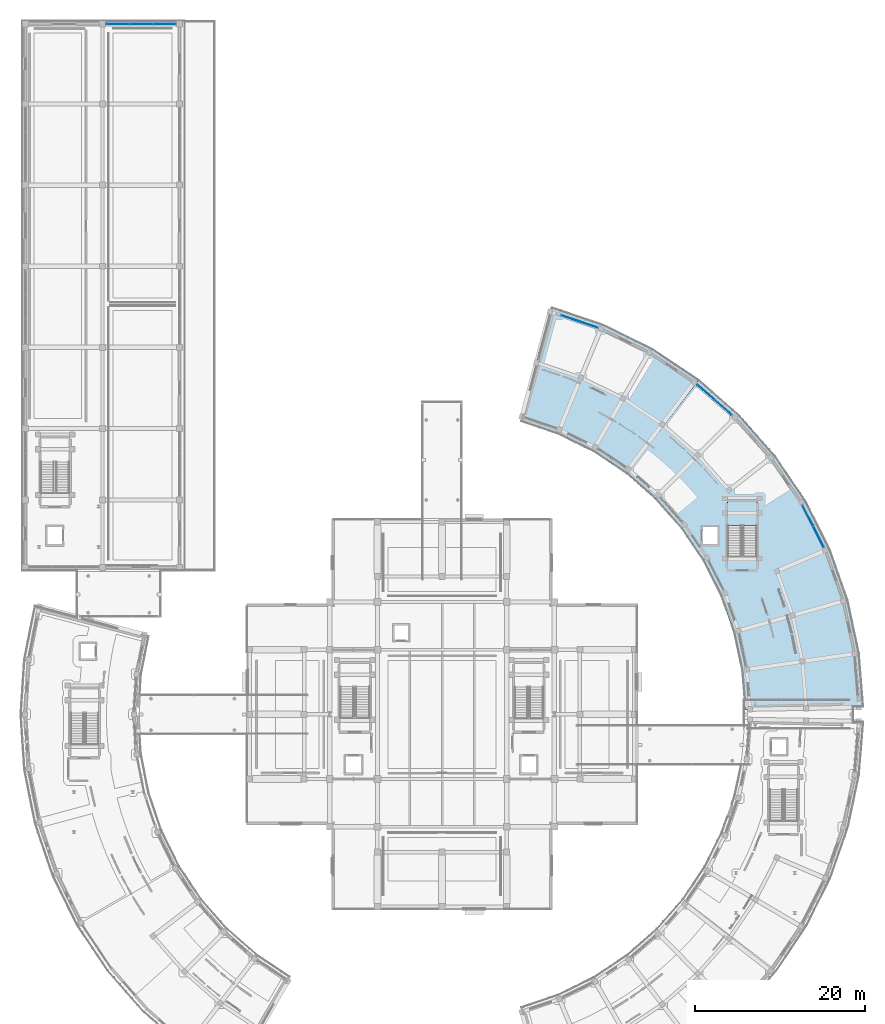
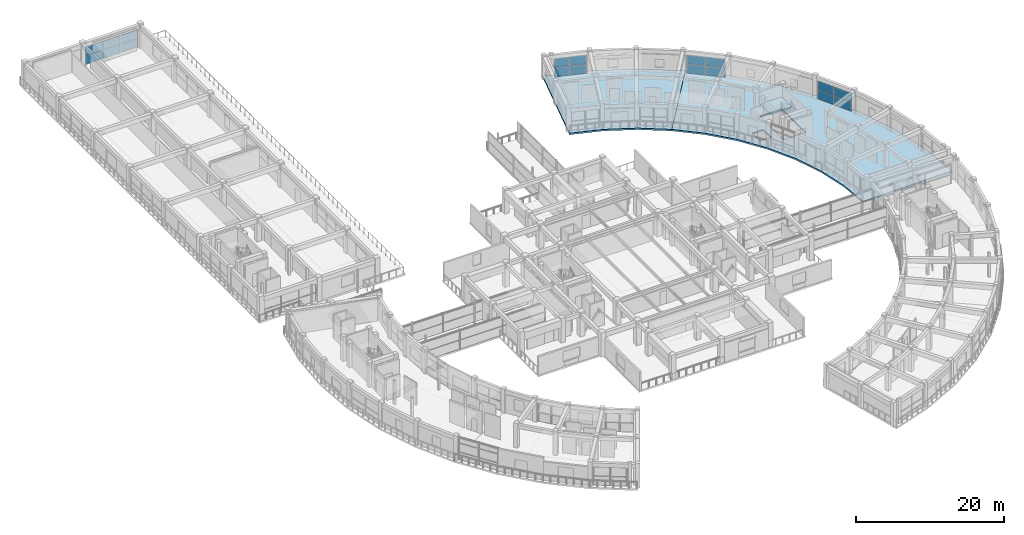
# One storey, part 43 of 70: 18 plates, 3 slabs, 5 elements without a shape of their own.
"""IFC4 building model written with IfcOpenShell, lengths in metres."""

import ifcopenshell
import ifcopenshell.guid

model = None  # the IFC model being written
_history = None  # IfcOwnerHistory: only IFC2X3 demands one
_inside = {}  # id of a spatial element -> (the spatial element, [elements in it])
_under = {}  # id of a project, library or spatial element -> (it, [spatial elements below it])
_declared = {}  # id of a project -> (the project, [libraries it declares])
_typed = {}  # id of a type object -> (the type object, [elements of that type])
_made_of = {}  # id of a material, layer set ... -> (it, [elements and type objects made of it])


def new_model(schema):
    """Start an empty IFC model of exactly this schema.

    Asked for "IFC4X3", IfcOpenShell would pick the latest addendum, in which some entities
    have other attributes; the version numbers below select the first issue.
    IFC2X3 requires an IfcOwnerHistory on every rooted entity: one is made here for all.
    """
    global model, _history
    if schema == "IFC4X3":
        model = ifcopenshell.file(schema_version=(4, 3, 0, 0))
    else:
        model = ifcopenshell.file(schema=schema)
    _inside.clear()
    _under.clear()
    _declared.clear()
    _typed.clear()
    _made_of.clear()
    _history = None
    if model.schema == "IFC2X3":
        org = make("IfcOrganization", Name="unknown")
        user = make(
            "IfcPersonAndOrganization",
            ThePerson=make("IfcPerson", FamilyName="unknown"),
            TheOrganization=org,
        )
        app = make(
            "IfcApplication",
            ApplicationDeveloper=org,
            Version="unknown",
            ApplicationFullName="unknown",
            ApplicationIdentifier="unknown",
        )
        _history = make(
            "IfcOwnerHistory",
            OwningUser=user,
            OwningApplication=app,
            ChangeAction="ADDED",
            CreationDate=0,
        )
    return model


def make(cls, **values):
    """One entity of the class cls with the attributes given. An attribute that is None is left unset."""
    return model.create_entity(
        cls, **{name: value for name, value in values.items() if value is not None}
    )


def rooted(cls, **values):
    """An entity with a GlobalId (a new one), such as an element, a storey or a relation."""
    return make(cls, GlobalId=ifcopenshell.guid.new(), OwnerHistory=_history, **values)


def si_unit(unit_type, name, prefix=None):
    """IfcSIUnit, for example si_unit("LENGTHUNIT", "METRE", prefix="MILLI")."""
    return make("IfcSIUnit", UnitType=unit_type, Prefix=prefix, Name=name)


def assignment(units):
    """IfcUnitAssignment: the units of a project."""
    return None if units is None else make("IfcUnitAssignment", Units=units)


def point(xyz):
    """IfcCartesianPoint."""
    return None if xyz is None else make("IfcCartesianPoint", Coordinates=xyz)


def direction(xyz):
    """IfcDirection."""
    return None if xyz is None else make("IfcDirection", DirectionRatios=xyz)


def frame(location, z_axis=None, x_axis=None):
    """IfcAxis2Placement3D, a coordinate frame: its origin and axes. An axis left out is left unset."""
    return make(
        "IfcAxis2Placement3D",
        Location=point(location),
        Axis=direction(z_axis),
        RefDirection=direction(x_axis),
    )


def frame_2d(location, x_axis=None):
    """IfcAxis2Placement2D, a coordinate frame in the plane: its origin and x axis."""
    return make(
        "IfcAxis2Placement2D", Location=point(location), RefDirection=direction(x_axis)
    )


def origin():
    """The frame at (0, 0, 0) with its axes left unset."""
    return frame((0.0, 0.0, 0.0))


def origin_2d():
    """The frame at (0, 0) in the plane with its x axis left unset."""
    return frame_2d((0.0, 0.0))


def place(relative_to, where):
    """IfcLocalPlacement: puts the frame where relative to a parent placement (None: the world)."""
    return make(
        "IfcLocalPlacement", PlacementRelTo=relative_to, RelativePlacement=where
    )


def context(
    kind, dimensions, precision=None, world=None, true_north=None, identifier=None
):
    """IfcGeometricRepresentationContext, for example the 3D "Model" context."""
    return make(
        "IfcGeometricRepresentationContext",
        ContextIdentifier=identifier,
        ContextType=kind,
        CoordinateSpaceDimension=dimensions,
        Precision=precision,
        WorldCoordinateSystem=world,
        TrueNorth=true_north,
    )


def subcontext(parent, identifier, kind, view, scale=None):
    """IfcGeometricRepresentationSubContext, for example "Body" below "Model"."""
    return make(
        "IfcGeometricRepresentationSubContext",
        ContextIdentifier=identifier,
        ContextType=kind,
        ParentContext=parent,
        TargetScale=scale,
        TargetView=view,
    )


def project(units=None, contexts=None):
    """IfcProject with its units and contexts."""
    return rooted(
        "IfcProject",
        Name="project",
        RepresentationContexts=contexts,
        UnitsInContext=assignment(units),
    )


def spatial(cls, under=None, at=None, **own):
    """A site, building, storey or space (cls), placed at a placement, below another one or the project."""
    s = rooted(cls, ObjectPlacement=at, **own)
    if under is not None:
        _under.setdefault(under.id(), (under, []))[1].append(s)
    return s


def polyline(points):
    """IfcPolyline through the points."""
    return make("IfcPolyline", Points=[point(p) for p in points])


def profile(cls, at=None, kind="AREA", **sizes):
    """A parametric profile (cls). Its sizes go by their IFC names, for example OverallWidth=200.0."""
    return make(cls, ProfileType=kind, Position=at, **sizes)


def rectangle(**sizes):
    """IfcRectangleProfileDef."""
    return profile("IfcRectangleProfileDef", **sizes)


def outline(outer, holes=None, kind="AREA"):
    """IfcArbitraryClosedProfileDef: a profile drawn as a closed curve; with holes, ...WithVoids."""
    if holes is None:
        return make("IfcArbitraryClosedProfileDef", ProfileType=kind, OuterCurve=outer)
    return make(
        "IfcArbitraryProfileDefWithVoids",
        ProfileType=kind,
        OuterCurve=outer,
        InnerCurves=holes,
    )


def extrude(swept, where, along, depth):
    """IfcExtrudedAreaSolid: the profile swept, set in the frame where, extruded along a direction by depth."""
    return make(
        "IfcExtrudedAreaSolid",
        SweptArea=swept,
        Position=where,
        ExtrudedDirection=direction(along),
        Depth=depth,
    )


def shape(context_of_items, identifier, shape_type, items):
    """IfcShapeRepresentation: the items that make up one representation, for example the "Body"."""
    return make(
        "IfcShapeRepresentation",
        ContextOfItems=context_of_items,
        RepresentationIdentifier=identifier,
        RepresentationType=shape_type,
        Items=items,
    )


def material(Name=None, Category=None):
    """IfcMaterial."""
    return make("IfcMaterial", Name=Name, Category=Category)


def layer(
    of_material, thickness, ventilated=None, Name=None, Category=None, Priority=None
):
    """IfcMaterialLayer: one layer of a wall or slab, of a material (None: an air gap)."""
    return make(
        "IfcMaterialLayer",
        Material=of_material,
        LayerThickness=thickness,
        IsVentilated=ventilated,
        Name=Name,
        Category=Category,
        Priority=Priority,
    )


def layer_set(layers, Name=None):
    """IfcMaterialLayerSet."""
    return make("IfcMaterialLayerSet", MaterialLayers=layers, LayerSetName=Name)


def made_of(thing, what):
    """Note that an element or type object is made of a material, layer set ...; save() writes the relation."""
    if what is not None:
        _made_of.setdefault(what.id(), (what, []))[1].append(thing)
    return thing


def type_object(cls, material=None, **own):
    """A type object (cls), such as IfcWallType, which elements share."""
    return made_of(rooted(cls, **own), material)


def element(
    cls,
    number,
    at=None,
    inside=None,
    cuts=None,
    type_object=None,
    material=None,
    context=None,
    identifier="Body",
    shape_type=None,
    held_by="IfcProductDefinitionShape",
    body=None,
    shapes=None,
    **own,
):
    """One element of the class cls, such as IfcWall. Its Tag is "e" and its number.

    at: its placement. inside: the storey or other place that contains it. cuts: it is an
    opening in that element (IfcRelVoidsElement). A single representation is given by context,
    identifier, shape_type and body (its items); several are given by shapes. held_by: the class
    of the entity that holds the representations. save() writes the other relations.
    """
    e = rooted(cls, Tag="e%d" % number, ObjectPlacement=at, **own)
    if body is not None:
        shapes = [shape(context, identifier, shape_type, body)]
    if shapes is not None:
        e.Representation = make(held_by, Representations=shapes)
    if inside is not None:
        _inside.setdefault(inside.id(), (inside, []))[1].append(e)
    if cuts is not None:
        rooted(
            "IfcRelVoidsElement", RelatingBuildingElement=cuts, RelatedOpeningElement=e
        )
    if type_object is not None:
        _typed.setdefault(type_object.id(), (type_object, []))[1].append(e)
    return made_of(e, material)


def aggregate(whole, parts):
    """IfcRelAggregates: a whole, such as a stair, and the parts it consists of."""
    return rooted("IfcRelAggregates", RelatingObject=whole, RelatedObjects=parts)


def save(model, path):
    """Write the relations noted so far, then the file.

    IfcRelAggregates (storeys below a building ...), IfcRelContainedInSpatialStructure (elements
    in a storey), IfcRelDefinesByType, IfcRelAssociatesMaterial and IfcRelDeclares: one each for
    every whole, place, type object, material and project.
    """
    for whole, parts in _under.values():
        aggregate(whole, parts)
    for where, things in _inside.values():
        rooted(
            "IfcRelContainedInSpatialStructure",
            RelatedElements=things,
            RelatingStructure=where,
        )
    for kind, things in _typed.values():
        rooted("IfcRelDefinesByType", RelatedObjects=things, RelatingType=kind)
    for what, things in _made_of.values():
        rooted("IfcRelAssociatesMaterial", RelatedObjects=things, RelatingMaterial=what)
    for by, libraries in _declared.values():
        rooted("IfcRelDeclares", RelatingContext=by, RelatedDefinitions=libraries)
    model.write(path)


model = new_model("IFC4")

# Units and contexts
model_context = context("Model", 3, precision=1e-05, world=origin(), true_north=direction((0.0, 1.0)))
body_context = subcontext(model_context, "Body", "Model", "MODEL_VIEW")
ifc_project = project(units=[si_unit("LENGTHUNIT", "METRE"), si_unit("AREAUNIT", "SQUARE_METRE"), si_unit("VOLUMEUNIT", "CUBIC_METRE"), si_unit("PLANEANGLEUNIT", "RADIAN"), si_unit("MASSUNIT", "GRAM", prefix="KILO")], contexts=[model_context])

# Site, building, storey
site_placement = place(None, origin())
site = spatial("IfcSite", under=ifc_project, at=site_placement, CompositionType="ELEMENT")
building_placement = place(site_placement, origin())
building = spatial("IfcBuilding", under=site, at=building_placement, Name="Saryqyr Civic Hall", CompositionType="ELEMENT")
storey_placement = place(building_placement, frame((0.0, 0.0, 13.199951171875)))
storey = spatial("IfcBuildingStorey", under=building, at=storey_placement, Name="L03", CompositionType="ELEMENT", Elevation=13.199951171875)

# Curtain wall, plates
ifc_material_1 = material(Name="Anodised aluminium and triple low-E glass", Category="aluminium")
curtain_wall_type_1 = type_object("IfcCurtainWallType", Name="ENV-CW-STD-40", PredefinedType="NOTDEFINED", material=ifc_material_1)
curtain_wall_1_placement = place(storey_placement, origin())
curtain_wall_1 = element("IfcCurtainWall", 1, at=curtain_wall_1_placement, inside=storey, type_object=curtain_wall_type_1, Name="Curtain wall V6-CWO-L03-03", PredefinedType="NOTDEFINED")
ifc_material_2 = material(Name="Triple low-E insulated glazing", Category="glass")
ifc_layer_1 = layer(ifc_material_2, 0.053955078125, Name="Triple low-E insulated glazing")
ifc_layer_set_1 = layer_set([ifc_layer_1], Name="Triple low-E insulated glazing")
plate_type = type_object("IfcPlateType", Name="ENV-CW-PNL-38", PredefinedType="CURTAIN_PANEL", material=ifc_layer_set_1)
plate_1_placement = place(storey_placement, frame((99.997314453125, 107.326171875, 0.06005859375), z_axis=(0.0, 0.0, 1.0), x_axis=(0.451943063525, -0.892046785394, 0.0)))
plate_1 = element("IfcPlate", 2, at=plate_1_placement, type_object=plate_type, Name="CW-40 panel 1.1", PredefinedType="CURTAIN_PANEL", context=body_context, shape_type="SweptSolid", body=[
    extrude(rectangle(XDim=2.693115234375, YDim=0.053955078125, at=origin_2d()), origin(), (0.0, 0.0, 1.0), 1.491943359375),
])
plate_2_placement = place(storey_placement, frame((99.997314453125, 107.326171875, 1.6123046875), z_axis=(0.0, 0.0, 1.0), x_axis=(0.451943063525, -0.892046785394, 0.0)))
plate_2 = element("IfcPlate", 3, at=plate_2_placement, type_object=plate_type, Name="CW-40 panel 1.2", PredefinedType="CURTAIN_PANEL", context=body_context, shape_type="SweptSolid", body=[
    extrude(rectangle(XDim=2.693115234375, YDim=0.053955078125, at=origin_2d()), origin(), (0.0, 0.0, 1.0), 1.492919921875),
])
plate_3_placement = place(storey_placement, frame((101.241455078125, 104.870361328125, 0.06005859375), z_axis=(0.0, 0.0, 1.0), x_axis=(0.451943063525, -0.892046785394, 0.0)))
plate_3 = element("IfcPlate", 4, at=plate_3_placement, type_object=plate_type, Name="CW-40 panel 2.1", PredefinedType="CURTAIN_PANEL", context=body_context, shape_type="SweptSolid", body=[
    extrude(rectangle(XDim=2.693115234375, YDim=0.053955078125, at=origin_2d()), origin(), (0.0, 0.0, 1.0), 1.491943359375),
])
plate_4_placement = place(storey_placement, frame((101.241455078125, 104.870361328125, 1.6123046875), z_axis=(0.0, 0.0, 1.0), x_axis=(0.451943063525, -0.892046785394, 0.0)))
plate_4 = element("IfcPlate", 5, at=plate_4_placement, type_object=plate_type, Name="CW-40 panel 2.2", PredefinedType="CURTAIN_PANEL", context=body_context, shape_type="SweptSolid", body=[
    extrude(rectangle(XDim=2.693115234375, YDim=0.053955078125, at=origin_2d()), origin(), (0.0, 0.0, 1.0), 1.492919921875),
])
aggregate(curtain_wall_1, [plate_1, plate_2, plate_3, plate_4])

curtain_wall_type_2 = type_object("IfcCurtainWallType", Name="ENV-CW-STD-39", PredefinedType="NOTDEFINED", material=ifc_material_1)
curtain_wall_2_placement = place(storey_placement, origin())
curtain_wall_2 = element("IfcCurtainWall", 6, at=curtain_wall_2_placement, inside=storey, type_object=curtain_wall_type_2, Name="Curtain wall V6-CWO-L03-06", PredefinedType="NOTDEFINED")
plate_5_placement = place(storey_placement, frame((88.012451171875, 121.828857421875, 0.06005859375), z_axis=(0.0, 0.0, 1.0), x_axis=(0.755657475938, -0.654967006085, 0.0)))
plate_5 = element("IfcPlate", 7, at=plate_5_placement, type_object=plate_type, Name="CW-39 panel 1.1", PredefinedType="CURTAIN_PANEL", context=body_context, shape_type="SweptSolid", body=[
    extrude(rectangle(XDim=2.624267578125, YDim=0.053955078125, at=origin_2d()), origin(), (0.0, 0.0, 1.0), 1.491943359375),
])
plate_6_placement = place(storey_placement, frame((88.012451171875, 121.828857421875, 1.6123046875), z_axis=(0.0, 0.0, 1.0), x_axis=(0.755657475938, -0.654967006085, 0.0)))
plate_6 = element("IfcPlate", 8, at=plate_6_placement, type_object=plate_type, Name="CW-39 panel 1.2", PredefinedType="CURTAIN_PANEL", context=body_context, shape_type="SweptSolid", body=[
    extrude(rectangle(XDim=2.624267578125, YDim=0.053955078125, at=origin_2d()), origin(), (0.0, 0.0, 1.0), 1.492919921875),
])
plate_7_placement = place(storey_placement, frame((90.040771484375, 120.07080078125, 0.06005859375), z_axis=(0.0, 0.0, 1.0), x_axis=(0.755657475938, -0.654967006085, 0.0)))
plate_7 = element("IfcPlate", 9, at=plate_7_placement, type_object=plate_type, Name="CW-39 panel 2.1", PredefinedType="CURTAIN_PANEL", context=body_context, shape_type="SweptSolid", body=[
    extrude(rectangle(XDim=2.624267578125, YDim=0.053955078125, at=origin_2d()), origin(), (0.0, 0.0, 1.0), 1.491943359375),
])
plate_8_placement = place(storey_placement, frame((90.040771484375, 120.07080078125, 1.6123046875), z_axis=(0.0, 0.0, 1.0), x_axis=(0.755657475938, -0.654967006085, 0.0)))
plate_8 = element("IfcPlate", 10, at=plate_8_placement, type_object=plate_type, Name="CW-39 panel 2.2", PredefinedType="CURTAIN_PANEL", context=body_context, shape_type="SweptSolid", body=[
    extrude(rectangle(XDim=2.624267578125, YDim=0.053955078125, at=origin_2d()), origin(), (0.0, 0.0, 1.0), 1.492919921875),
])
aggregate(curtain_wall_2, [plate_5, plate_6, plate_7, plate_8])

curtain_wall_type_3 = type_object("IfcCurtainWallType", Name="ENV-CW-STD-30", PredefinedType="NOTDEFINED", material=ifc_material_1)
curtain_wall_3_placement = place(storey_placement, origin())
curtain_wall_3 = element("IfcCurtainWall", 11, at=curtain_wall_3_placement, inside=storey, type_object=curtain_wall_type_3, Name="Curtain wall V6-CWO-L03-09", PredefinedType="NOTDEFINED")
plate_9_placement = place(storey_placement, frame((72.106201171875, 130.509765625, 0.06005859375), z_axis=(0.0, 0.0, 1.0), x_axis=(0.947190494511, -0.320671431699, 0.0)))
plate_9 = element("IfcPlate", 12, at=plate_9_placement, type_object=plate_type, Name="CW-30 panel 1.1", PredefinedType="CURTAIN_PANEL", context=body_context, shape_type="SweptSolid", body=[
    extrude(rectangle(XDim=2.193603515625, YDim=0.053955078125, at=origin_2d()), origin(), (0.0, 0.0, 1.0), 1.491943359375),
])
plate_10_placement = place(storey_placement, frame((72.106201171875, 130.509765625, 1.6123046875), z_axis=(0.0, 0.0, 1.0), x_axis=(0.947190494511, -0.320671431699, 0.0)))
plate_10 = element("IfcPlate", 13, at=plate_10_placement, type_object=plate_type, Name="CW-30 panel 1.2", PredefinedType="CURTAIN_PANEL", context=body_context, shape_type="SweptSolid", body=[
    extrude(rectangle(XDim=2.193603515625, YDim=0.053955078125, at=origin_2d()), origin(), (0.0, 0.0, 1.0), 1.492919921875),
])
plate_11_placement = place(storey_placement, frame((74.24072265625, 129.787109375, 0.06005859375), z_axis=(0.0, 0.0, 1.0), x_axis=(0.947190494511, -0.320671431699, 0.0)))
plate_11 = element("IfcPlate", 14, at=plate_11_placement, type_object=plate_type, Name="CW-30 panel 2.1", PredefinedType="CURTAIN_PANEL", context=body_context, shape_type="SweptSolid", body=[
    extrude(rectangle(XDim=2.193603515625, YDim=0.053955078125, at=origin_2d()), origin(), (0.0, 0.0, 1.0), 1.491943359375),
])
plate_12_placement = place(storey_placement, frame((74.24072265625, 129.787109375, 1.6123046875), z_axis=(0.0, 0.0, 1.0), x_axis=(0.947190494511, -0.320671431699, 0.0)))
plate_12 = element("IfcPlate", 15, at=plate_12_placement, type_object=plate_type, Name="CW-30 panel 2.2", PredefinedType="CURTAIN_PANEL", context=body_context, shape_type="SweptSolid", body=[
    extrude(rectangle(XDim=2.193603515625, YDim=0.053955078125, at=origin_2d()), origin(), (0.0, 0.0, 1.0), 1.492919921875),
])
aggregate(curtain_wall_3, [plate_9, plate_10, plate_11, plate_12])

curtain_wall_type_4 = type_object("IfcCurtainWallType", Name="ENV-CW-STD-51", PredefinedType="NOTDEFINED", material=ifc_material_1)
curtain_wall_4_placement = place(storey_placement, origin())
curtain_wall_4 = element("IfcCurtainWall", 16, at=curtain_wall_4_placement, inside=storey, type_object=curtain_wall_type_4, Name="Curtain wall V3-CW-L03-2-1", PredefinedType="NOTDEFINED")
plate_13_placement = place(storey_placement, frame((18.88330078125, 165.14990234375, 0.06005859375), z_axis=(0.0, 0.0, 1.0), x_axis=(1.0, 0.0, 0.0)))
plate_13 = element("IfcPlate", 17, at=plate_13_placement, type_object=plate_type, Name="CW-51 panel 1.1", PredefinedType="CURTAIN_PANEL", context=body_context, shape_type="SweptSolid", body=[
    extrude(rectangle(XDim=2.666748046875, YDim=0.053955078125, at=origin_2d()), origin(), (0.0, 0.0, 1.0), 1.4169921875),
])
plate_14_placement = place(storey_placement, frame((18.88330078125, 165.14990234375, 1.537109375), z_axis=(0.0, 0.0, 1.0), x_axis=(1.0, 0.0, 0.0)))
plate_14 = element("IfcPlate", 18, at=plate_14_placement, type_object=plate_type, Name="CW-51 panel 1.2", PredefinedType="CURTAIN_PANEL", context=body_context, shape_type="SweptSolid", body=[
    extrude(rectangle(XDim=2.666748046875, YDim=0.053955078125, at=origin_2d()), origin(), (0.0, 0.0, 1.0), 1.41796875),
])
plate_15_placement = place(storey_placement, frame((21.625, 165.14990234375, 0.06005859375), z_axis=(0.0, 0.0, 1.0), x_axis=(1.0, 0.0, 0.0)))
plate_15 = element("IfcPlate", 19, at=plate_15_placement, type_object=plate_type, Name="CW-51 panel 2.1", PredefinedType="CURTAIN_PANEL", context=body_context, shape_type="SweptSolid", body=[
    extrude(rectangle(XDim=2.69677734375, YDim=0.053955078125, at=origin_2d()), origin(), (0.0, 0.0, 1.0), 1.4169921875),
])
plate_16_placement = place(storey_placement, frame((21.625, 165.14990234375, 1.537109375), z_axis=(0.0, 0.0, 1.0), x_axis=(1.0, 0.0, 0.0)))
plate_16 = element("IfcPlate", 20, at=plate_16_placement, type_object=plate_type, Name="CW-51 panel 2.2", PredefinedType="CURTAIN_PANEL", context=body_context, shape_type="SweptSolid", body=[
    extrude(rectangle(XDim=2.69677734375, YDim=0.053955078125, at=origin_2d()), origin(), (0.0, 0.0, 1.0), 1.41796875),
])
plate_17_placement = place(storey_placement, frame((24.36669921875, 165.14990234375, 0.06005859375), z_axis=(0.0, 0.0, 1.0), x_axis=(1.0, 0.0, 0.0)))
plate_17 = element("IfcPlate", 21, at=plate_17_placement, type_object=plate_type, Name="CW-51 panel 3.1", PredefinedType="CURTAIN_PANEL", context=body_context, shape_type="SweptSolid", body=[
    extrude(rectangle(XDim=2.666748046875, YDim=0.053955078125, at=origin_2d()), origin(), (0.0, 0.0, 1.0), 1.4169921875),
])
plate_18_placement = place(storey_placement, frame((24.36669921875, 165.14990234375, 1.537109375), z_axis=(0.0, 0.0, 1.0), x_axis=(1.0, 0.0, 0.0)))
plate_18 = element("IfcPlate", 22, at=plate_18_placement, type_object=plate_type, Name="CW-51 panel 3.2", PredefinedType="CURTAIN_PANEL", context=body_context, shape_type="SweptSolid", body=[
    extrude(rectangle(XDim=2.666748046875, YDim=0.053955078125, at=origin_2d()), origin(), (0.0, 0.0, 1.0), 1.41796875),
])
aggregate(curtain_wall_4, [plate_13, plate_14, plate_15, plate_16, plate_17, plate_18])

# Slabs
ifc_material_3 = material(Name="Concrete C35/45", Category="concrete")
ifc_layer_2 = layer(ifc_material_3, 0.260009765625, Name="Concrete C35/45")
ifc_layer_set_2 = layer_set([ifc_layer_2], Name="Concrete C35/45")
slab_type_1 = type_object("IfcSlabType", Name="STR-SLB-FLR-260", PredefinedType="FLOOR", material=ifc_layer_set_2)
slab_1_placement = place(storey_placement, frame((0.0, 0.0, -0.260009765625)))
element("IfcSlab", 23, at=slab_1_placement, inside=storey, type_object=slab_type_1, Name="Slab SLB-V6A-L03", PredefinedType="FLOOR", context=body_context, shape_type="SweptSolid", body=[
    extrude(outline(polyline([(92.225830078125, 89.14794921875), (91.275390625, 93.62060546875), (89.759521484375, 97.9345703125), (87.703125, 102.0185546875), (85.140380859375, 105.805419921875), (82.11328125, 109.232666015625), (78.671875, 112.243408203125), (87.194580078125, 123.350341796875), (91.9892578125, 119.155517578125), (96.206787109375, 114.380615234375), (99.777587890625, 109.1044921875), (102.642578125, 103.414306640625), (104.75439453125, 97.40380859375), (106.07861328125, 91.17236328125), (106.59326171875, 84.822509765625), (92.59521484375, 84.590087890625), (92.225830078125, 89.14794921875)]), holes=[polyline([(89.39990234375, 103.949951171875), (89.39990234375, 106.050048828125), (87.60009765625, 106.050048828125), (87.60009765625, 103.949951171875), (89.39990234375, 103.949951171875)]), polyline([(94.0, 109.0), (90.56005859375, 109.0), (90.56005859375, 102.6201171875), (94.0, 102.6201171875), (94.0, 109.0)])]), origin(), (0.0, 0.0, 1.0), 0.260009765625),
])
slab_2_placement = place(storey_placement, frame((0.0, 0.0, -0.260009765625)))
element("IfcSlab", 24, at=slab_2_placement, inside=storey, type_object=slab_type_1, Name="Slab SLB-V6B-L03", PredefinedType="FLOOR", context=body_context, shape_type="SweptSolid", body=[
    extrude(outline(polyline([(74.800048828125, 114.83056640625), (70.62353515625, 116.89013671875), (66.214111328125, 118.386962890625), (69.83740234375, 131.909912109375), (75.981201171875, 129.824462890625), (81.800048828125, 126.954833984375), (87.194580078125, 123.350341796875), (78.671875, 112.243408203125), (74.800048828125, 114.83056640625)])), origin(), (0.0, 0.0, 1.0), 0.260009765625),
])

# Stair, slab
stair_type = type_object("IfcStairType", Name="INT-STR-ST-6", PredefinedType="HALF_TURN_STAIR", material=ifc_material_3)
stair_placement = place(storey_placement, origin())
stair = element("IfcStair", 25, at=stair_placement, inside=storey, type_object=stair_type, Name="L03 Protected Exit Stair ST-6", PredefinedType="HALF_TURN_STAIR")
ifc_layer_3 = layer(ifc_material_3, 0.199951171875, Name="Concrete C35/45")
ifc_layer_set_3 = layer_set([ifc_layer_3], Name="Concrete C35/45")
slab_type_2 = type_object("IfcSlabType", Name="STR-SLB-LND-200", PredefinedType="LANDING", material=ifc_layer_set_3)
slab_3_placement = place(storey_placement, frame((0.0, 0.0, 1.824951171875)))
slab_3 = element("IfcSlab", 26, at=slab_3_placement, type_object=slab_type_2, Name="ST-6 landing 1", PredefinedType="LANDING", context=body_context, shape_type="SweptSolid", body=[
    extrude(outline(polyline([(94.0, 106.219970703125), (94.0, 109.0), (90.56005859375, 109.0), (90.56005859375, 106.219970703125), (94.0, 106.219970703125)])), origin(), (0.0, 0.0, 1.0), 0.2001953125),
])
aggregate(stair, [slab_3])

save(model, "model.ifc")
